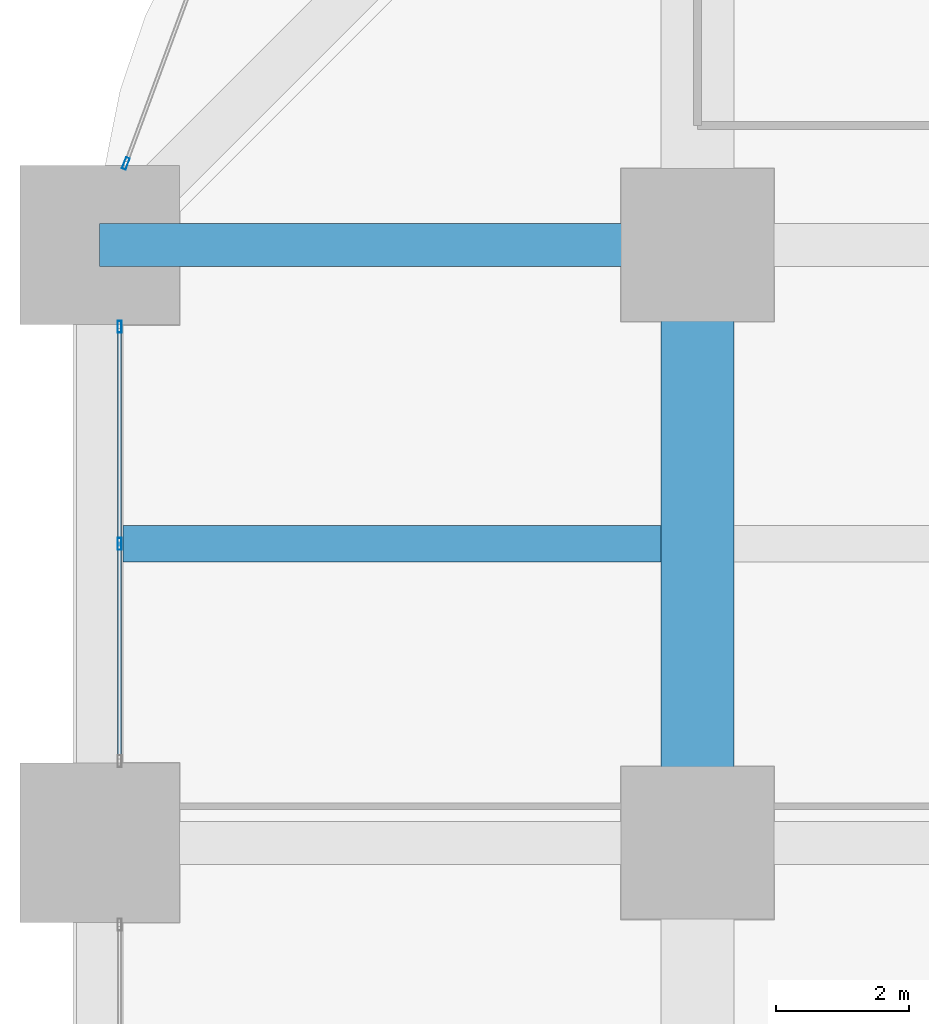
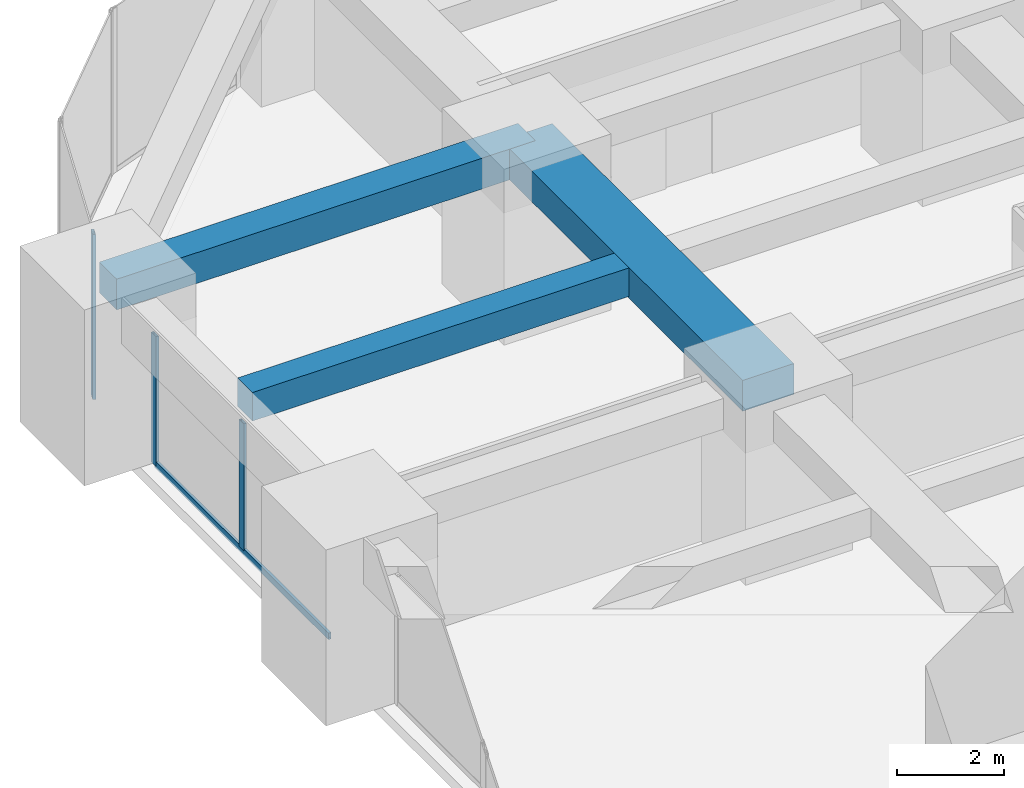
# One storey, part 25 of 45: 4 members, 3 beams, 2 elements without a shape of their own.
"""IFC4 building model written with IfcOpenShell, lengths in metres."""

import ifcopenshell
import ifcopenshell.guid

model = None  # the IFC model being written
_history = None  # IfcOwnerHistory: only IFC2X3 demands one
_inside = {}  # id of a spatial element -> (the spatial element, [elements in it])
_under = {}  # id of a project, library or spatial element -> (it, [spatial elements below it])
_declared = {}  # id of a project -> (the project, [libraries it declares])
_typed = {}  # id of a type object -> (the type object, [elements of that type])
_made_of = {}  # id of a material, layer set ... -> (it, [elements and type objects made of it])


def new_model(schema):
    """Start an empty IFC model of exactly this schema.

    Asked for "IFC4X3", IfcOpenShell would pick the latest addendum, in which some entities
    have other attributes; the version numbers below select the first issue.
    IFC2X3 requires an IfcOwnerHistory on every rooted entity: one is made here for all.
    """
    global model, _history
    if schema == "IFC4X3":
        model = ifcopenshell.file(schema_version=(4, 3, 0, 0))
    else:
        model = ifcopenshell.file(schema=schema)
    _inside.clear()
    _under.clear()
    _declared.clear()
    _typed.clear()
    _made_of.clear()
    _history = None
    if model.schema == "IFC2X3":
        org = make("IfcOrganization", Name="unknown")
        user = make(
            "IfcPersonAndOrganization",
            ThePerson=make("IfcPerson", FamilyName="unknown"),
            TheOrganization=org,
        )
        app = make(
            "IfcApplication",
            ApplicationDeveloper=org,
            Version="unknown",
            ApplicationFullName="unknown",
            ApplicationIdentifier="unknown",
        )
        _history = make(
            "IfcOwnerHistory",
            OwningUser=user,
            OwningApplication=app,
            ChangeAction="ADDED",
            CreationDate=0,
        )
    return model


def make(cls, **values):
    """One entity of the class cls with the attributes given. An attribute that is None is left unset."""
    return model.create_entity(
        cls, **{name: value for name, value in values.items() if value is not None}
    )


def rooted(cls, **values):
    """An entity with a GlobalId (a new one), such as an element, a storey or a relation."""
    return make(cls, GlobalId=ifcopenshell.guid.new(), OwnerHistory=_history, **values)


def si_unit(unit_type, name, prefix=None):
    """IfcSIUnit, for example si_unit("LENGTHUNIT", "METRE", prefix="MILLI")."""
    return make("IfcSIUnit", UnitType=unit_type, Prefix=prefix, Name=name)


def assignment(units):
    """IfcUnitAssignment: the units of a project."""
    return None if units is None else make("IfcUnitAssignment", Units=units)


def point(xyz):
    """IfcCartesianPoint."""
    return None if xyz is None else make("IfcCartesianPoint", Coordinates=xyz)


def direction(xyz):
    """IfcDirection."""
    return None if xyz is None else make("IfcDirection", DirectionRatios=xyz)


def frame(location, z_axis=None, x_axis=None):
    """IfcAxis2Placement3D, a coordinate frame: its origin and axes. An axis left out is left unset."""
    return make(
        "IfcAxis2Placement3D",
        Location=point(location),
        Axis=direction(z_axis),
        RefDirection=direction(x_axis),
    )


def frame_2d(location, x_axis=None):
    """IfcAxis2Placement2D, a coordinate frame in the plane: its origin and x axis."""
    return make(
        "IfcAxis2Placement2D", Location=point(location), RefDirection=direction(x_axis)
    )


def origin():
    """The frame at (0, 0, 0) with its axes left unset."""
    return frame((0.0, 0.0, 0.0))


def origin_2d():
    """The frame at (0, 0) in the plane with its x axis left unset."""
    return frame_2d((0.0, 0.0))


def place(relative_to, where):
    """IfcLocalPlacement: puts the frame where relative to a parent placement (None: the world)."""
    return make(
        "IfcLocalPlacement", PlacementRelTo=relative_to, RelativePlacement=where
    )


def context(
    kind, dimensions, precision=None, world=None, true_north=None, identifier=None
):
    """IfcGeometricRepresentationContext, for example the 3D "Model" context."""
    return make(
        "IfcGeometricRepresentationContext",
        ContextIdentifier=identifier,
        ContextType=kind,
        CoordinateSpaceDimension=dimensions,
        Precision=precision,
        WorldCoordinateSystem=world,
        TrueNorth=true_north,
    )


def subcontext(parent, identifier, kind, view, scale=None):
    """IfcGeometricRepresentationSubContext, for example "Body" below "Model"."""
    return make(
        "IfcGeometricRepresentationSubContext",
        ContextIdentifier=identifier,
        ContextType=kind,
        ParentContext=parent,
        TargetScale=scale,
        TargetView=view,
    )


def project(units=None, contexts=None):
    """IfcProject with its units and contexts."""
    return rooted(
        "IfcProject",
        Name="project",
        RepresentationContexts=contexts,
        UnitsInContext=assignment(units),
    )


def spatial(cls, under=None, at=None, **own):
    """A site, building, storey or space (cls), placed at a placement, below another one or the project."""
    s = rooted(cls, ObjectPlacement=at, **own)
    if under is not None:
        _under.setdefault(under.id(), (under, []))[1].append(s)
    return s


def profile(cls, at=None, kind="AREA", **sizes):
    """A parametric profile (cls). Its sizes go by their IFC names, for example OverallWidth=200.0."""
    return make(cls, ProfileType=kind, Position=at, **sizes)


def rectangle(**sizes):
    """IfcRectangleProfileDef."""
    return profile("IfcRectangleProfileDef", **sizes)


def hollow_rectangle(**sizes):
    """IfcRectangleHollowProfileDef."""
    return profile("IfcRectangleHollowProfileDef", **sizes)


def extrude(swept, where, along, depth):
    """IfcExtrudedAreaSolid: the profile swept, set in the frame where, extruded along a direction by depth."""
    return make(
        "IfcExtrudedAreaSolid",
        SweptArea=swept,
        Position=where,
        ExtrudedDirection=direction(along),
        Depth=depth,
    )


def shape(context_of_items, identifier, shape_type, items):
    """IfcShapeRepresentation: the items that make up one representation, for example the "Body"."""
    return make(
        "IfcShapeRepresentation",
        ContextOfItems=context_of_items,
        RepresentationIdentifier=identifier,
        RepresentationType=shape_type,
        Items=items,
    )


def material(Name=None, Category=None):
    """IfcMaterial."""
    return make("IfcMaterial", Name=Name, Category=Category)


def material_profile(
    of_material, cross_section, Name=None, Category=None, Priority=None
):
    """IfcMaterialProfile: a cross section and its material."""
    return make(
        "IfcMaterialProfile",
        Name=Name,
        Material=of_material,
        Profile=cross_section,
        Priority=Priority,
        Category=Category,
    )


def profile_set(profiles, Name=None, composite=None):
    """IfcMaterialProfileSet."""
    return make(
        "IfcMaterialProfileSet",
        Name=Name,
        MaterialProfiles=profiles,
        CompositeProfile=composite,
    )


def made_of(thing, what):
    """Note that an element or type object is made of a material, layer set ...; save() writes the relation."""
    if what is not None:
        _made_of.setdefault(what.id(), (what, []))[1].append(thing)
    return thing


def type_object(cls, material=None, **own):
    """A type object (cls), such as IfcWallType, which elements share."""
    return made_of(rooted(cls, **own), material)


def element(
    cls,
    number,
    at=None,
    inside=None,
    cuts=None,
    type_object=None,
    material=None,
    context=None,
    identifier="Body",
    shape_type=None,
    held_by="IfcProductDefinitionShape",
    body=None,
    shapes=None,
    **own,
):
    """One element of the class cls, such as IfcWall. Its Tag is "e" and its number.

    at: its placement. inside: the storey or other place that contains it. cuts: it is an
    opening in that element (IfcRelVoidsElement). A single representation is given by context,
    identifier, shape_type and body (its items); several are given by shapes. held_by: the class
    of the entity that holds the representations. save() writes the other relations.
    """
    e = rooted(cls, Tag="e%d" % number, ObjectPlacement=at, **own)
    if body is not None:
        shapes = [shape(context, identifier, shape_type, body)]
    if shapes is not None:
        e.Representation = make(held_by, Representations=shapes)
    if inside is not None:
        _inside.setdefault(inside.id(), (inside, []))[1].append(e)
    if cuts is not None:
        rooted(
            "IfcRelVoidsElement", RelatingBuildingElement=cuts, RelatedOpeningElement=e
        )
    if type_object is not None:
        _typed.setdefault(type_object.id(), (type_object, []))[1].append(e)
    return made_of(e, material)


def aggregate(whole, parts):
    """IfcRelAggregates: a whole, such as a stair, and the parts it consists of."""
    return rooted("IfcRelAggregates", RelatingObject=whole, RelatedObjects=parts)


def save(model, path):
    """Write the relations noted so far, then the file.

    IfcRelAggregates (storeys below a building ...), IfcRelContainedInSpatialStructure (elements
    in a storey), IfcRelDefinesByType, IfcRelAssociatesMaterial and IfcRelDeclares: one each for
    every whole, place, type object, material and project.
    """
    for whole, parts in _under.values():
        aggregate(whole, parts)
    for where, things in _inside.values():
        rooted(
            "IfcRelContainedInSpatialStructure",
            RelatedElements=things,
            RelatingStructure=where,
        )
    for kind, things in _typed.values():
        rooted("IfcRelDefinesByType", RelatedObjects=things, RelatingType=kind)
    for what, things in _made_of.values():
        rooted("IfcRelAssociatesMaterial", RelatedObjects=things, RelatingMaterial=what)
    for by, libraries in _declared.values():
        rooted("IfcRelDeclares", RelatingContext=by, RelatedDefinitions=libraries)
    model.write(path)


model = new_model("IFC4")

# Units and contexts
model_context = context("Model", 3, precision=1e-05, world=origin(), true_north=direction((0.0, 1.0)))
body_context = subcontext(model_context, "Body", "Model", "MODEL_VIEW")
ifc_project = project(units=[si_unit("LENGTHUNIT", "METRE"), si_unit("AREAUNIT", "SQUARE_METRE"), si_unit("VOLUMEUNIT", "CUBIC_METRE"), si_unit("PLANEANGLEUNIT", "RADIAN"), si_unit("MASSUNIT", "GRAM", prefix="KILO")], contexts=[model_context])

# Site, building, storey
site_placement = place(None, origin())
site = spatial("IfcSite", under=ifc_project, at=site_placement, CompositionType="ELEMENT")
building_placement = place(site_placement, origin())
building = spatial("IfcBuilding", under=site, at=building_placement, Name="Zorevar Civic Tower", CompositionType="ELEMENT")
storey_placement = place(building_placement, frame((0.0, 0.0, 23.800048828125)))
storey = spatial("IfcBuildingStorey", under=building, at=storey_placement, Name="L05", CompositionType="ELEMENT", Elevation=23.800048828125)

# Beams
ifc_material_1 = material(Name="Concrete C50/60", Category="concrete")
ifc_material_profile_1 = material_profile(ifc_material_1, rectangle(XDim=1.10009765625, YDim=0.699951171875, at=origin_2d()), Name="RC 1100x700")
ifc_profile_set_1 = profile_set([ifc_material_profile_1], Name="Concrete C50/60")
beam_type_1 = type_object("IfcBeamType", Name="Beam RC 1100x700", PredefinedType="BEAM", material=ifc_profile_set_1)
beam_1_placement = place(storey_placement, frame((9.0, 36.0, 3.39990234375), z_axis=(0.0, 1.0, 0.0), x_axis=(-1.0, 0.0, 0.0)))
element("IfcBeam", 1, at=beam_1_placement, inside=storey, type_object=beam_type_1, Name="Girder L06", PredefinedType="BEAM", context=body_context, shape_type="SweptSolid", body=[
    extrude(rectangle(XDim=1.10009765625, YDim=0.699951171875, at=origin_2d()), origin(), (0.0, 0.0, 1.0), 9.0),
])
ifc_material_2 = material(Name="Concrete C50/60", Category="concrete")
ifc_material_profile_2 = material_profile(ifc_material_2, rectangle(XDim=0.550048828125, YDim=0.64990234375, at=origin_2d()), Name="RC 550x650")
ifc_profile_set_2 = profile_set([ifc_material_profile_2], Name="Concrete C50/60")
beam_type_2 = type_object("IfcBeamType", Name="Beam RC 550x650", PredefinedType="BEAM", material=ifc_profile_set_2)
beam_2_placement = place(storey_placement, frame((0.35009765625, 40.5, 3.425048828125), z_axis=(1.0, 0.0, 0.0), x_axis=(0.0, 1.0, 0.0)))
element("IfcBeam", 2, at=beam_2_placement, inside=storey, type_object=beam_type_2, Name="Secondary beam L06", PredefinedType="BEAM", context=body_context, shape_type="SweptSolid", body=[
    extrude(rectangle(XDim=0.550048828125, YDim=0.64990234375, at=origin_2d()), origin(), (0.0, 0.0, 1.0), 8.099853515625),
])
ifc_material_3 = material(Name="Concrete C50/60", Category="concrete")
ifc_material_profile_3 = material_profile(ifc_material_3, rectangle(XDim=0.64990234375, YDim=0.699951171875, at=origin_2d()), Name="RC 650x700")
ifc_profile_set_3 = profile_set([ifc_material_profile_3], Name="Concrete C50/60")
beam_type_3 = type_object("IfcBeamType", Name="Beam RC 650x700", PredefinedType="BEAM", material=ifc_profile_set_3)
beam_3_placement = place(storey_placement, frame((0.0, 45.0, 3.39990234375), z_axis=(1.0, 0.0, 0.0), x_axis=(0.0, 1.0, 0.0)))
element("IfcBeam", 3, at=beam_3_placement, inside=storey, type_object=beam_type_3, Name="Girder L06", PredefinedType="BEAM", context=body_context, shape_type="SweptSolid", body=[
    extrude(rectangle(XDim=0.64990234375, YDim=0.699951171875, at=origin_2d()), origin(), (0.0, 0.0, 1.0), 9.0),
])

# Curtain wall, members
ifc_material_4 = material(Name="Dark grey solar-control glass in black aluminium frame", Category="aluminium")
curtain_wall_type = type_object("IfcCurtainWallType", Name="Curtain wall CW2 low zone", PredefinedType="NOTDEFINED", material=ifc_material_4)
curtain_wall_1_placement = place(storey_placement, origin())
curtain_wall_1 = element("IfcCurtainWall", 4, at=curtain_wall_1_placement, inside=storey, type_object=curtain_wall_type, Name="CW2 L05", PredefinedType="NOTDEFINED")
ifc_material_5 = material(Name="Aluminium, black anodised", Category="aluminium")
ifc_material_profile_4 = material_profile(ifc_material_5, hollow_rectangle(XDim=0.06005859375, YDim=0.179931640625, WallThickness=0.00390625, at=origin_2d()), Name="AL 180x60x4")
ifc_profile_set_4 = profile_set([ifc_material_profile_4], Name="Aluminium, black anodised")
member_type_1 = type_object("IfcMemberType", Name="CW2 mullion AL 180x60x4", PredefinedType="MULLION", material=ifc_profile_set_4)
member_1_placement = place(storey_placement, frame((0.300048828125, 40.5, 0.06005859375), z_axis=(0.0, 0.0, 1.0), x_axis=(-1.0, 0.0, 0.0)))
member_1 = element("IfcMember", 5, at=member_1_placement, type_object=member_type_1, Name="CW2 mullion 2", PredefinedType="MULLION", context=body_context, shape_type="SweptSolid", body=[
    extrude(hollow_rectangle(XDim=0.06005859375, YDim=0.179931640625, WallThickness=0.00390625, at=origin_2d()), origin(), (0.0, 0.0, 1.0), 2.889892578125),
])
member_2_placement = place(storey_placement, frame((0.300048828125, 43.77001953125, 0.0), z_axis=(0.0, 0.0, 1.0), x_axis=(-1.0, 0.0, 0.0)))
member_2 = element("IfcMember", 6, at=member_2_placement, type_object=member_type_1, Name="CW2 mullion 3", PredefinedType="MULLION", context=body_context, shape_type="SweptSolid", body=[
    extrude(hollow_rectangle(XDim=0.06005859375, YDim=0.179931640625, WallThickness=0.00390625, at=origin_2d()), origin(), (0.0, 0.0, 1.0), 2.949951171875),
])

# Curtain wall, member
curtain_wall_2_placement = place(storey_placement, origin())
curtain_wall_2 = element("IfcCurtainWall", 7, at=curtain_wall_2_placement, inside=storey, type_object=curtain_wall_type, Name="CW2 L05", PredefinedType="NOTDEFINED")
member_3_placement = place(storey_placement, frame((0.3935546875, 46.22802734375, 0.0), z_axis=(0.0, 0.0, 1.0), x_axis=(0.937974588163, -0.346704012033, 0.0)))
member_3 = element("IfcMember", 8, at=member_3_placement, type_object=member_type_1, Name="CW2 mullion 2", PredefinedType="MULLION", context=body_context, shape_type="SweptSolid", body=[
    extrude(hollow_rectangle(XDim=0.06005859375, YDim=0.179931640625, WallThickness=0.00390625, at=origin_2d()), origin(), (0.0, 0.0, 1.0), 3.75),
])
aggregate(curtain_wall_2, [member_3])

# Member
ifc_material_6 = material(Name="Aluminium, black anodised", Category="aluminium")
ifc_material_profile_5 = material_profile(ifc_material_6, hollow_rectangle(XDim=0.06005859375, YDim=0.14990234375, WallThickness=0.00390625, at=origin_2d()), Name="AL 150x60x4")
ifc_profile_set_5 = profile_set([ifc_material_profile_5], Name="Aluminium, black anodised")
member_type_2 = type_object("IfcMemberType", Name="CW2 transom AL 150x60x4", PredefinedType="USERDEFINED", material=ifc_profile_set_5)
member_4_placement = place(storey_placement, frame((0.300048828125, 37.260009765625, 0.030029296875), z_axis=(0.0, 1.0, 0.0), x_axis=(-1.0, 0.0, 0.0)))
member_4 = element("IfcMember", 9, at=member_4_placement, type_object=member_type_2, Name="CW2 sill transom", ObjectType="TRANSOM", PredefinedType="USERDEFINED", context=body_context, shape_type="SweptSolid", body=[
    extrude(hollow_rectangle(XDim=0.06005859375, YDim=0.14990234375, WallThickness=0.00390625, at=origin_2d()), origin(), (0.0, 0.0, 1.0), 6.47998046875),
])

aggregate(curtain_wall_1, [member_1, member_2, member_4])

save(model, "model.ifc")
